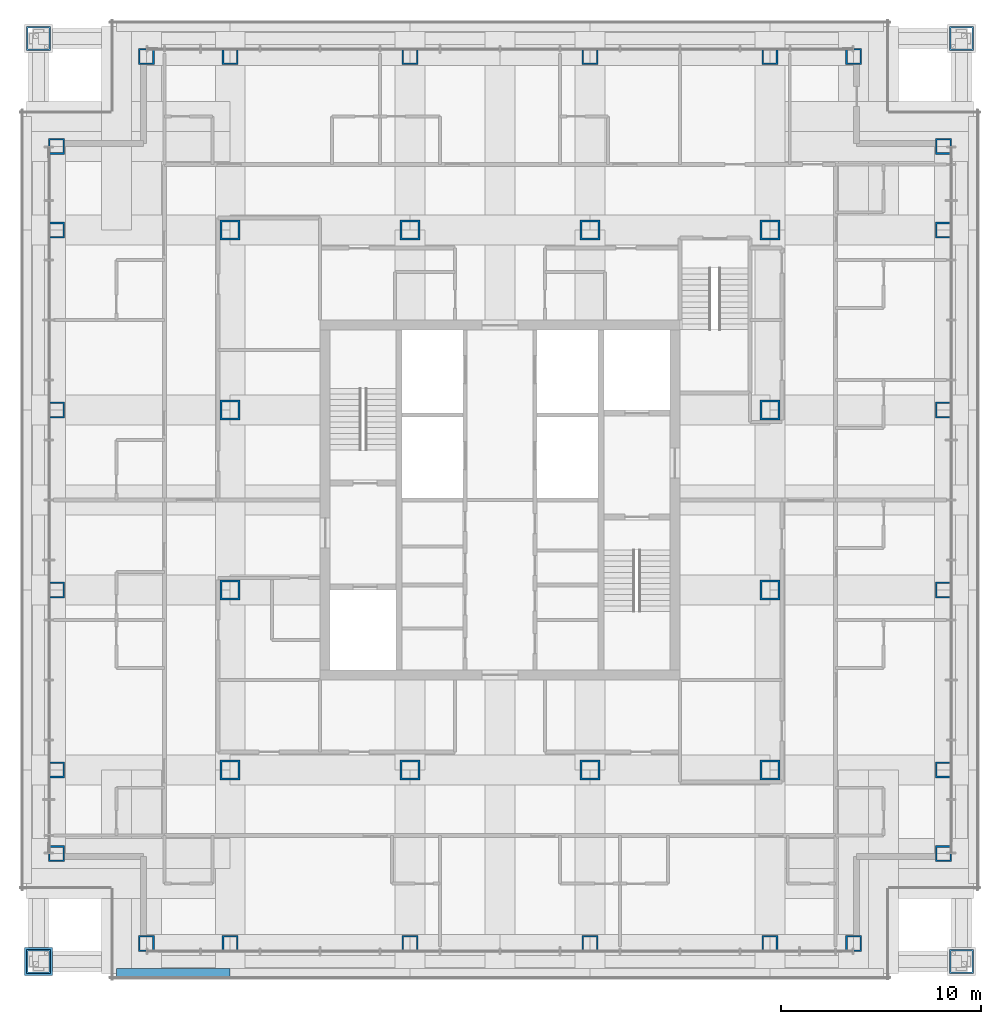
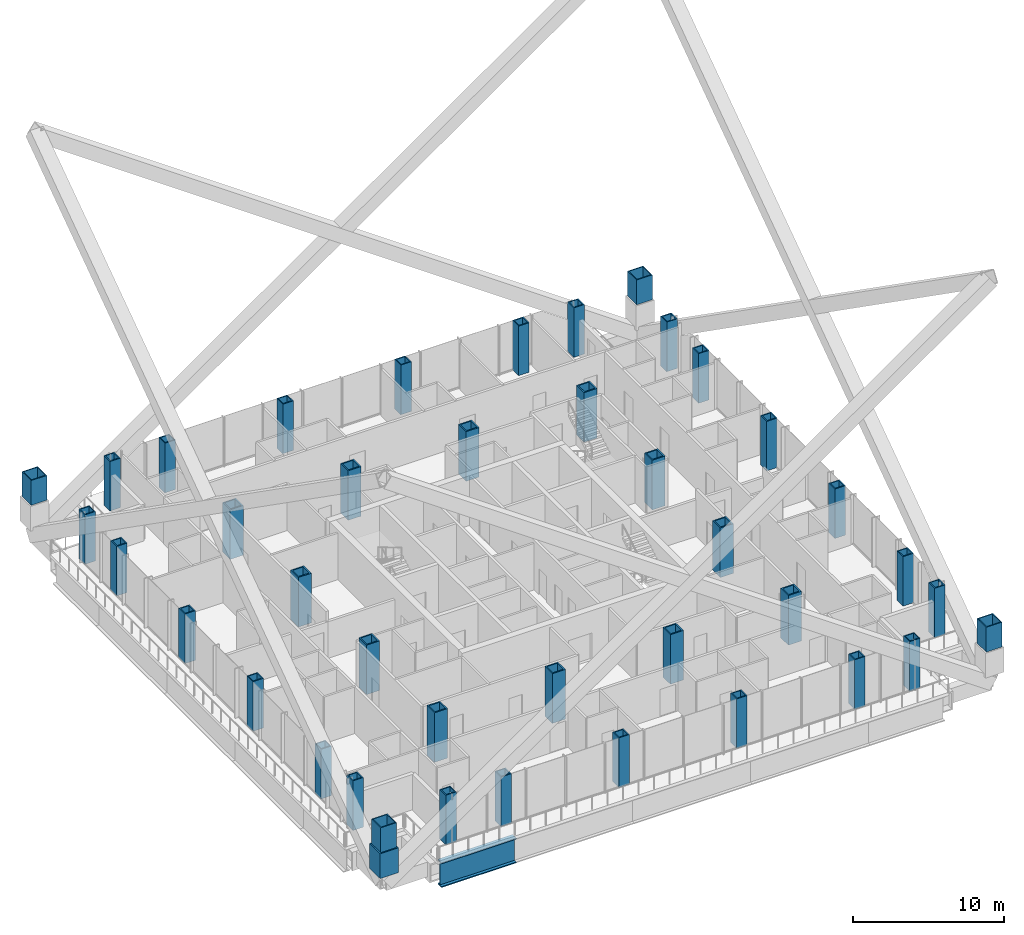
# One storey, part 1 of 18: 40 columns, 1 beam, 1 member.
"""IFC4 building model written with IfcOpenShell, lengths in metres."""

from ifc_helpers import new_model, si_unit, direction, frame, origin, origin_2d, place, context, subcontext, project, spatial, hollow_rectangle, i_section, extrude, material, material_profile, profile_set, type_object, element, save


model = new_model("IFC4")

# Units and contexts
model_context = context("Model", 3, precision=1e-05, world=origin(), true_north=direction((0.0, 1.0)))
body_context = subcontext(model_context, "Body", "Model", "MODEL_VIEW")
ifc_project = project(units=[si_unit("LENGTHUNIT", "METRE"), si_unit("AREAUNIT", "SQUARE_METRE"), si_unit("VOLUMEUNIT", "CUBIC_METRE"), si_unit("PLANEANGLEUNIT", "RADIAN"), si_unit("MASSUNIT", "GRAM", prefix="KILO")], contexts=[model_context])

# Site, building, storey
site_placement = place(None, origin())
site = spatial("IfcSite", under=ifc_project, at=site_placement, CompositionType="ELEMENT")
building_placement = place(site_placement, origin())
building = spatial("IfcBuilding", under=site, at=building_placement, Name="Malebo Sky Hospital", CompositionType="ELEMENT")
storey_placement = place(building_placement, frame((0.0, 0.0, 177.0)))
storey = spatial("IfcBuildingStorey", under=building, at=storey_placement, Name="L42", CompositionType="ELEMENT", Elevation=177.0)

# Columns
ifc_material_1 = material(Name="Steel S460", Category="steel")
ifc_material_profile_1 = material_profile(ifc_material_1, hollow_rectangle(XDim=1.0, YDim=1.0, WallThickness=0.10009765625, at=origin_2d()), Name="BOX 1000x1000x100")
ifc_profile_set_1 = profile_set([ifc_material_profile_1], Name="Steel S460")
column_type_1 = type_object("IfcColumnType", Name="INNER COLUMN BOX 1000x1000x100", PredefinedType="COLUMN", material=ifc_profile_set_1)
for number, where, z_axis, x_axis, name in (
    (1, (46.5, 48.5, 0.0), (0.0, 0.0, 1.0), (1.0, 0.0, 0.0), "Column IC9 L42"),
    (2, (73.5, 48.5, 0.0), (0.0, 0.0, 1.0), (1.0, 0.0, 0.0), "Column IC9 L42"),
    (3, (73.5, 75.5, 0.0), (0.0, 0.0, 1.0), (1.0, 0.0, 0.0), "Column IC9 L42"),
    (4, (46.5, 75.5, 0.0), (0.0, 0.0, 1.0), (1.0, 0.0, 0.0), "Column IC9 L42"),
    (5, (55.5, 48.5, 0.0), (0.0, 0.0, 1.0), (1.0, 0.0, 0.0), "Column IC9 L42"),
    (6, (64.5, 48.5, 0.0), (0.0, 0.0, 1.0), (1.0, 0.0, 0.0), "Column IC9 L42"),
    (7, (55.5, 75.5, 0.0), (0.0, 0.0, 1.0), (1.0, 0.0, 0.0), "Column IC9 L42"),
    (8, (64.5, 75.5, 0.0), (0.0, 0.0, 1.0), (1.0, 0.0, 0.0), "Column IC9 L42"),
    (9, (46.5, 57.5, 0.0), (0.0, 0.0, 1.0), (1.0, 0.0, 0.0), "Column IC9 L42"),
    (10, (46.5, 66.5, 0.0), (0.0, 0.0, 1.0), (1.0, 0.0, 0.0), "Column IC9 L42"),
    (11, (73.5, 57.5, 0.0), (0.0, 0.0, 1.0), (1.0, 0.0, 0.0), "Column IC9 L42"),
    (12, (73.5, 66.5, 0.0), (0.0, 0.0, 1.0), (1.0, 0.0, 0.0), "Column IC9 L42"),
):
    element("IfcColumn", number, at=place(storey_placement, frame(where, z_axis=z_axis, x_axis=x_axis)), inside=storey, type_object=column_type_1, Name=name, PredefinedType="COLUMN", context=body_context, shape_type="SweptSolid", body=[
        extrude(hollow_rectangle(XDim=1.0, YDim=1.0, WallThickness=0.10009765625, at=origin_2d()), origin(), (0.0, 0.0, 1.0), 4.0),
    ])
ifc_material_profile_2 = material_profile(ifc_material_1, hollow_rectangle(XDim=1.199951171875, YDim=1.199951171875, WallThickness=0.070068359375, at=origin_2d()), Name="BOX 1200x1200x70")
ifc_profile_set_2 = profile_set([ifc_material_profile_2], Name="Steel S460")
column_type_2 = type_object("IfcColumnType", Name="MEGA COLUMN BOX 1200x1200x70", PredefinedType="COLUMN", material=ifc_profile_set_2)
for number, where, z_axis, x_axis, name in (
    (13, (36.89990234375, 38.89990234375, 2.0), (0.0, 0.0, 1.0), (1.0, 0.0, 0.0), "Mega column SW L42"),
    (14, (83.10009765625, 38.89990234375, 2.0), (0.0, 0.0, 1.0), (1.0, 0.0, 0.0), "Mega column SE L42"),
    (15, (83.10009765625, 85.10009765625, 2.0), (0.0, 0.0, 1.0), (1.0, 0.0, 0.0), "Mega column NE L42"),
    (16, (36.89990234375, 85.10009765625, 2.0), (0.0, 0.0, 1.0), (1.0, 0.0, 0.0), "Mega column NW L42"),
):
    element("IfcColumn", number, at=place(storey_placement, frame(where, z_axis=z_axis, x_axis=x_axis)), inside=storey, type_object=column_type_2, Name=name, PredefinedType="COLUMN", context=body_context, shape_type="SweptSolid", body=[
        extrude(hollow_rectangle(XDim=1.199951171875, YDim=1.199951171875, WallThickness=0.070068359375, at=origin_2d()), origin(), (0.0, 0.0, 1.0), 2.0),
    ])
ifc_material_profile_3 = material_profile(ifc_material_1, hollow_rectangle(XDim=0.800048828125, YDim=0.800048828125, WallThickness=0.080078125, at=origin_2d()), Name="BOX 800x800x80")
ifc_profile_set_3 = profile_set([ifc_material_profile_3], Name="Steel S460")
column_type_3 = type_object("IfcColumnType", Name="PERIMETER COLUMN BOX 800x800x80", PredefinedType="COLUMN", material=ifc_profile_set_3)
for number, where, z_axis, x_axis, name in (
    (17, (42.300048828125, 39.800048828125, 0.0), (0.0, 0.0, 1.0), (1.0, 0.0, 0.0), "Column PC7 L42"),
    (18, (42.300048828125, 84.199951171875, 0.0), (0.0, 0.0, 1.0), (1.0, 0.0, 0.0), "Column PC7 L42"),
    (19, (37.800048828125, 44.300048828125, 0.0), (0.0, 0.0, 1.0), (1.0, 0.0, 0.0), "Column PC7 L42"),
    (20, (82.199951171875, 44.300048828125, 0.0), (0.0, 0.0, 1.0), (1.0, 0.0, 0.0), "Column PC7 L42"),
    (21, (46.5, 39.800048828125, 0.0), (0.0, 0.0, 1.0), (1.0, 0.0, 0.0), "Column PC7 L42"),
    (22, (46.5, 84.199951171875, 0.0), (0.0, 0.0, 1.0), (1.0, 0.0, 0.0), "Column PC7 L42"),
    (23, (37.800048828125, 48.5, 0.0), (0.0, 0.0, 1.0), (1.0, 0.0, 0.0), "Column PC7 L42"),
    (24, (82.199951171875, 48.5, 0.0), (0.0, 0.0, 1.0), (1.0, 0.0, 0.0), "Column PC7 L42"),
    (25, (55.5, 39.800048828125, 0.0), (0.0, 0.0, 1.0), (1.0, 0.0, 0.0), "Column PC7 L42"),
    (26, (55.5, 84.199951171875, 0.0), (0.0, 0.0, 1.0), (1.0, 0.0, 0.0), "Column PC7 L42"),
    (27, (37.800048828125, 57.5, 0.0), (0.0, 0.0, 1.0), (1.0, 0.0, 0.0), "Column PC7 L42"),
    (28, (82.199951171875, 57.5, 0.0), (0.0, 0.0, 1.0), (1.0, 0.0, 0.0), "Column PC7 L42"),
    (29, (64.5, 39.800048828125, 0.0), (0.0, 0.0, 1.0), (1.0, 0.0, 0.0), "Column PC7 L42"),
    (30, (64.5, 84.199951171875, 0.0), (0.0, 0.0, 1.0), (1.0, 0.0, 0.0), "Column PC7 L42"),
    (31, (37.800048828125, 66.5, 0.0), (0.0, 0.0, 1.0), (1.0, 0.0, 0.0), "Column PC7 L42"),
    (32, (82.199951171875, 66.5, 0.0), (0.0, 0.0, 1.0), (1.0, 0.0, 0.0), "Column PC7 L42"),
    (33, (73.5, 39.800048828125, 0.0), (0.0, 0.0, 1.0), (1.0, 0.0, 0.0), "Column PC7 L42"),
    (34, (73.5, 84.199951171875, 0.0), (0.0, 0.0, 1.0), (1.0, 0.0, 0.0), "Column PC7 L42"),
    (35, (37.800048828125, 75.5, 0.0), (0.0, 0.0, 1.0), (1.0, 0.0, 0.0), "Column PC7 L42"),
    (36, (82.199951171875, 75.5, 0.0), (0.0, 0.0, 1.0), (1.0, 0.0, 0.0), "Column PC7 L42"),
    (37, (77.699951171875, 39.800048828125, 0.0), (0.0, 0.0, 1.0), (1.0, 0.0, 0.0), "Column PC7 L42"),
    (38, (77.699951171875, 84.199951171875, 0.0), (0.0, 0.0, 1.0), (1.0, 0.0, 0.0), "Column PC7 L42"),
    (39, (37.800048828125, 79.699951171875, 0.0), (0.0, 0.0, 1.0), (1.0, 0.0, 0.0), "Column PC7 L42"),
    (40, (82.199951171875, 79.699951171875, 0.0), (0.0, 0.0, 1.0), (1.0, 0.0, 0.0), "Column PC7 L42"),
):
    element("IfcColumn", number, at=place(storey_placement, frame(where, z_axis=z_axis, x_axis=x_axis)), inside=storey, type_object=column_type_3, Name=name, PredefinedType="COLUMN", context=body_context, shape_type="SweptSolid", body=[
        extrude(hollow_rectangle(XDim=0.800048828125, YDim=0.800048828125, WallThickness=0.080078125, at=origin_2d()), origin(), (0.0, 0.0, 1.0), 4.0),
    ])

# Member
ifc_material_profile_4 = material_profile(ifc_material_1, hollow_rectangle(XDim=1.39990234375, YDim=1.39990234375, WallThickness=0.14990234375, at=origin_2d()), Name="BOX 1400x1400x150")
ifc_profile_set_4 = profile_set([ifc_material_profile_4], Name="Steel S460")
member_type = type_object("IfcMemberType", Name="MEGA COLUMN NODE BOX 1400x1400x150", PredefinedType="MEMBER", material=ifc_profile_set_4)
member_placement = place(storey_placement, frame((36.89990234375, 38.89990234375, 0.0), z_axis=(0.0, 0.0, 1.0), x_axis=(1.0, 0.0, 0.0)))
element("IfcMember", 41, at=member_placement, inside=storey, type_object=member_type, Name="Mega column node SW L42", PredefinedType="MEMBER", context=body_context, shape_type="SweptSolid", body=[
    extrude(hollow_rectangle(XDim=1.39990234375, YDim=1.39990234375, WallThickness=0.14990234375, at=origin_2d()), origin(), (0.0, 0.0, 1.0), 2.0),
])

# Beam
ifc_material_2 = material(Name="Steel S355", Category="steel")
ifc_material_profile_5 = material_profile(ifc_material_2, i_section(OverallWidth=0.5, OverallDepth=2.0, WebThickness=0.0400390625, FlangeThickness=0.080078125, at=origin_2d()), Name="PG 2000x500x40x80")
ifc_profile_set_5 = profile_set([ifc_material_profile_5], Name="Steel S355")
beam_type = type_object("IfcBeamType", Name="TRANSFER GIRDER PG 2000x500x40x80", PredefinedType="BEAM", material=ifc_profile_set_5)
beam_placement = place(storey_placement, frame((40.800048828125, 38.300048828125, -1.25), z_axis=(1.0, 0.0, 0.0), x_axis=(0.0, 1.0, 0.0)))
element("IfcBeam", 42, at=beam_placement, inside=storey, type_object=beam_type, Name="Beam 040 L42", PredefinedType="BEAM", context=body_context, shape_type="SweptSolid", body=[
    extrude(i_section(OverallWidth=0.5, OverallDepth=2.0, WebThickness=0.0400390625, FlangeThickness=0.080078125, at=origin_2d()), origin(), (0.0, 0.0, 1.0), 5.699951171875),
])

save(model, "model.ifc")
